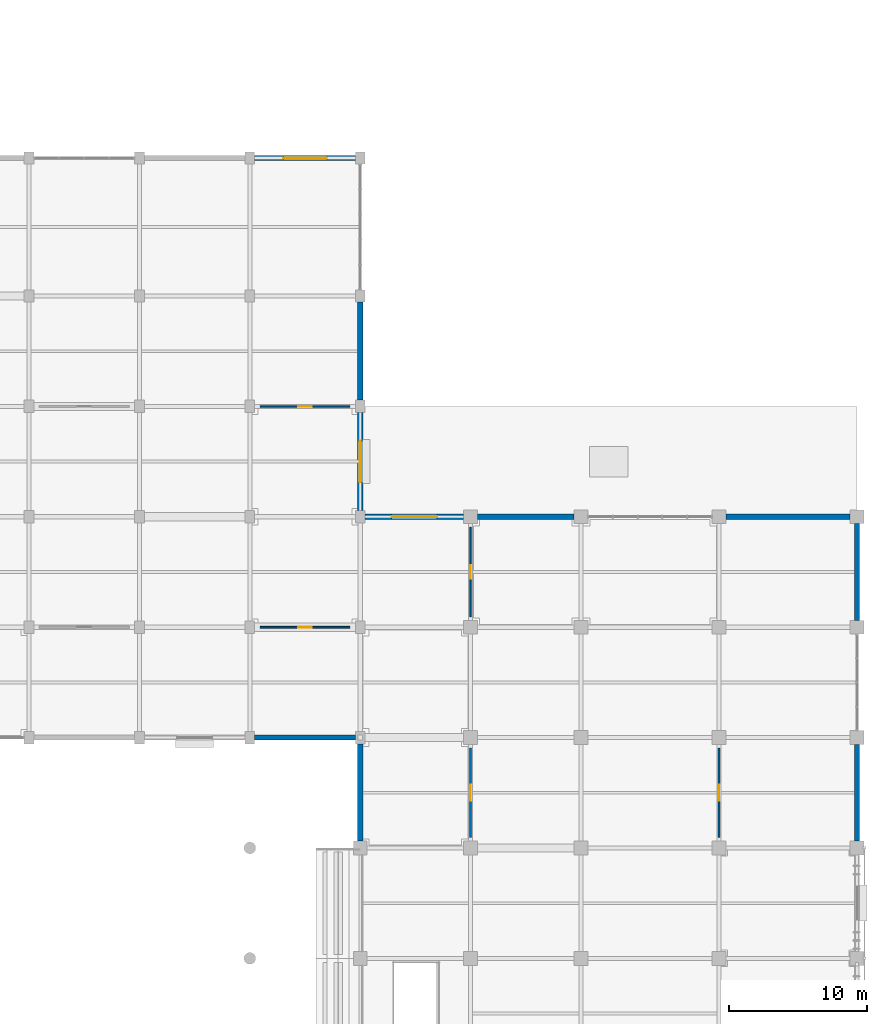
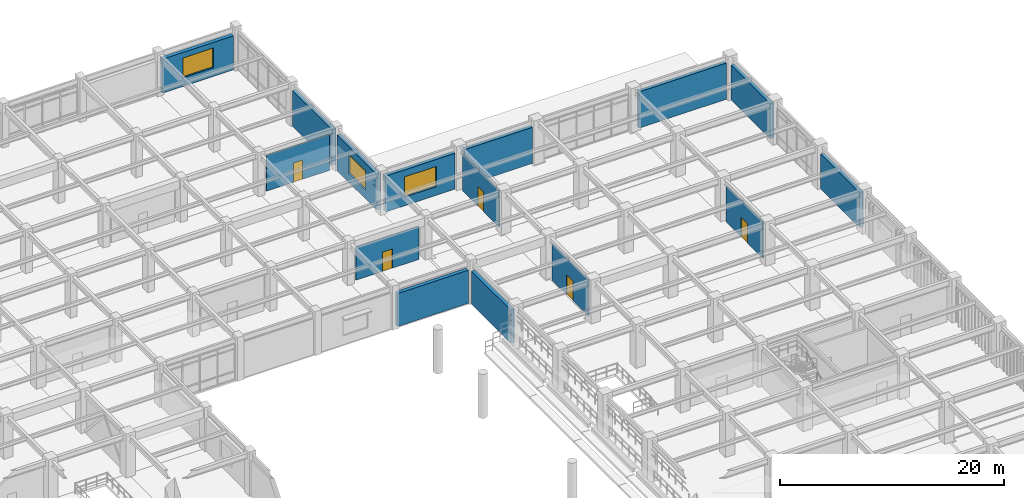
# One storey, part 85 of 117: 15 walls, 5 doors, 3 windows, 8 openings.
"""IFC4 building model written with IfcOpenShell, lengths in metres."""

from ifc_helpers import new_model, si_unit, direction, frame, frame_2d, origin, place, context, subcontext, project, spatial, rectangle, extrude, material, layer, layer_set, type_object, element, fill, save


model = new_model("IFC4")

# Units and contexts
model_context = context("Model", 3, precision=1e-05, world=origin(), true_north=direction((0.0, 1.0)))
body_context = subcontext(model_context, "Body", "Model", "MODEL_VIEW")
ifc_project = project(units=[si_unit("LENGTHUNIT", "METRE"), si_unit("AREAUNIT", "SQUARE_METRE"), si_unit("VOLUMEUNIT", "CUBIC_METRE"), si_unit("PLANEANGLEUNIT", "RADIAN"), si_unit("MASSUNIT", "GRAM", prefix="KILO")], contexts=[model_context])

# Site, building, storey
site_placement = place(None, origin())
site = spatial("IfcSite", under=ifc_project, at=site_placement, CompositionType="ELEMENT")
building_placement = place(site_placement, origin())
building = spatial("IfcBuilding", under=site, at=building_placement, Name="Haebicheon Civic Stadium", CompositionType="ELEMENT")
storey_placement = place(building_placement, frame((0.0, 0.0, 4.800048828125)))
storey = spatial("IfcBuildingStorey", under=building, at=storey_placement, Name="L02", CompositionType="ELEMENT", Elevation=4.800048828125)

# Wall
ifc_material_1 = material(Name="Concrete C40/50", Category="concrete")
ifc_layer_1 = layer(ifc_material_1, 0.3798828125, Name="Concrete C40/50")
ifc_layer_set_1 = layer_set([ifc_layer_1], Name="Concrete C40/50")
wall_type_1 = type_object("IfcWallType", Name="EW-BM-380", PredefinedType="SOLIDWALL", material=ifc_layer_set_1)
wall_1_placement = place(storey_placement, frame((192.35009765625, 136.0, 0.0), z_axis=(0.0, 0.0, 1.0), x_axis=(1.0, 0.0, 0.0)))
element("IfcWall", 1, at=wall_1_placement, inside=storey, type_object=wall_type_1, material=ifc_layer_set_1, Name="L02 board-marked concrete facade wall 24-17-S", PredefinedType="SOLIDWALL", context=body_context, shape_type="SweptSolid", body=[
    extrude(rectangle(XDim=7.2998046875, YDim=0.3798828125, at=frame_2d((3.64990234375, 0.0))), origin(), (0.0, 0.0, 1.0), 3.60986328125),
])

# Wall, opening, window
wall_2_placement = place(storey_placement, frame((200.0, 152.449951171875, 0.0), z_axis=(0.0, 0.0, 1.0), x_axis=(0.0, 1.0, 0.0)))
wall_2 = element("IfcWall", 2, at=wall_2_placement, inside=storey, type_object=wall_type_1, material=ifc_layer_set_1, Name="L02 board-marked concrete facade wall 25-19-E", PredefinedType="SOLIDWALL", context=body_context, shape_type="SweptSolid", body=[
    extrude(rectangle(XDim=7.10009765625, YDim=0.3798828125, at=frame_2d((3.550048828125, 0.0))), origin(), (0.0, 0.0, 1.0), 3.909912109375),
])
opening_1_placement = place(wall_2_placement, frame((2.050048828125, 0.0, 0.949951171875)))
opening_1 = element("IfcOpeningElement", 3, at=opening_1_placement, cuts=wall_2, Name="Opening WIN-300x210", PredefinedType="OPENING", context=body_context, shape_type="SweptSolid", body=[
    extrude(rectangle(XDim=3.0, YDim=2.10009765625, at=frame_2d((1.5, 1.050048828125))), frame((0.0, 0.199951171875, 0.0), z_axis=(0.0, -1.0, 0.0), x_axis=(1.0, 0.0, 0.0)), (0.0, 0.0, 1.0), 0.39990234375),
])
ifc_material_2 = material(Name="Anodised aluminium and laminated glass", Category="aluminium")
window_type_1 = type_object("IfcWindowType", Name="WIN-300x210", PartitioningType="SINGLE_PANEL", PredefinedType="WINDOW", material=ifc_material_2)
window_1_placement = place(opening_1_placement, origin())
window_1 = element("IfcWindow", 4, at=window_1_placement, inside=storey, type_object=window_type_1, material=ifc_material_2, Name="L02 facade window 059", OverallHeight=2.10009765625, OverallWidth=3.0, PartitioningType="SINGLE_PANEL", PredefinedType="WINDOW", context=body_context, shape_type="SweptSolid", body=[
    extrude(rectangle(XDim=3.0, YDim=2.10009765625, at=frame_2d((1.5, 1.050048828125))), frame((0.0, 0.030029296875, 0.0), z_axis=(0.0, -1.0, 0.0), x_axis=(1.0, 0.0, 0.0)), (0.0, 0.0, 1.0), 0.06005859375),
])
fill(opening_1, window_1)

# Wall
wall_3_placement = place(storey_placement, frame((200.0, 160.449951171875, 0.0), z_axis=(0.0, 0.0, 1.0), x_axis=(0.0, 1.0, 0.0)))
element("IfcWall", 5, at=wall_3_placement, inside=storey, type_object=wall_type_1, material=ifc_layer_set_1, Name="L02 board-marked concrete facade wall 25-20-E", PredefinedType="SOLIDWALL", context=body_context, shape_type="SweptSolid", body=[
    extrude(rectangle(XDim=7.10009765625, YDim=0.3798828125, at=frame_2d((3.550048828125, 0.0))), origin(), (0.0, 0.0, 1.0), 3.909912109375),
])

# Wall, opening, window
wall_4_placement = place(storey_placement, frame((192.35009765625, 178.0, 0.0), z_axis=(0.0, 0.0, 1.0), x_axis=(1.0, 0.0, 0.0)))
wall_4 = element("IfcWall", 6, at=wall_4_placement, inside=storey, type_object=wall_type_1, material=ifc_layer_set_1, Name="L02 board-marked concrete facade wall 24-22-N", PredefinedType="SOLIDWALL", context=body_context, shape_type="SweptSolid", body=[
    extrude(rectangle(XDim=7.2998046875, YDim=0.3798828125, at=frame_2d((3.64990234375, 0.0))), origin(), (0.0, 0.0, 1.0), 3.7099609375),
])
opening_2_placement = place(wall_4_placement, frame((2.074951171875, 0.0, 0.949951171875)))
opening_2 = element("IfcOpeningElement", 7, at=opening_2_placement, cuts=wall_4, Name="Opening WIN-315x215", PredefinedType="OPENING", context=body_context, shape_type="SweptSolid", body=[
    extrude(rectangle(XDim=3.14990234375, YDim=2.14990234375, at=frame_2d((1.574951171875, 1.074951171875))), frame((0.0, 0.199951171875, 0.0), z_axis=(0.0, -1.0, 0.0), x_axis=(1.0, 0.0, 0.0)), (0.0, 0.0, 1.0), 0.39990234375),
])
ifc_material_3 = material(Name="Anodised aluminium and laminated glass", Category="aluminium")
window_type_2 = type_object("IfcWindowType", Name="WIN-315x215", PartitioningType="SINGLE_PANEL", PredefinedType="WINDOW", material=ifc_material_3)
window_2_placement = place(opening_2_placement, origin())
window_2 = element("IfcWindow", 8, at=window_2_placement, inside=storey, type_object=window_type_2, material=ifc_material_3, Name="L02 facade window 060", OverallHeight=2.14990234375, OverallWidth=3.14990234375, PartitioningType="SINGLE_PANEL", PredefinedType="WINDOW", context=body_context, shape_type="SweptSolid", body=[
    extrude(rectangle(XDim=3.14990234375, YDim=2.14990234375, at=frame_2d((1.574951171875, 1.074951171875))), frame((0.0, 0.030029296875, 0.0), z_axis=(0.0, -1.0, 0.0), x_axis=(1.0, 0.0, 0.0)), (0.0, 0.0, 1.0), 0.06005859375),
])
fill(opening_2, window_2)

# Wall
wall_5_placement = place(storey_placement, frame((200.0, 128.5, 0.0), z_axis=(0.0, 0.0, 1.0), x_axis=(0.0, 1.0, 0.0)))
element("IfcWall", 9, at=wall_5_placement, inside=storey, type_object=wall_type_1, material=ifc_layer_set_1, Name="L02 board-marked concrete facade wall 25-16-W", PredefinedType="SOLIDWALL", context=body_context, shape_type="SweptSolid", body=[
    extrude(rectangle(XDim=7.050048828125, YDim=0.3798828125, at=frame_2d((3.52490234375, 0.0))), origin(), (0.0, 0.0, 1.0), 3.60986328125),
])

# Wall, opening, window
wall_6_placement = place(storey_placement, frame((200.35009765625, 152.0, 0.0), z_axis=(0.0, 0.0, 1.0), x_axis=(1.0, 0.0, 0.0)))
wall_6 = element("IfcWall", 10, at=wall_6_placement, inside=storey, type_object=wall_type_1, material=ifc_layer_set_1, Name="L02 board-marked concrete facade wall 25-19-N", PredefinedType="SOLIDWALL", context=body_context, shape_type="SweptSolid", body=[
    extrude(rectangle(XDim=7.14990234375, YDim=0.3798828125, at=frame_2d((3.574951171875, 0.0))), origin(), (0.0, 0.0, 1.0), 3.909912109375),
])
opening_3_placement = place(wall_6_placement, frame((1.925048828125, 0.0, 0.949951171875)))
opening_3 = element("IfcOpeningElement", 11, at=opening_3_placement, cuts=wall_6, Name="Opening WIN-330x220", PredefinedType="OPENING", context=body_context, shape_type="SweptSolid", body=[
    extrude(rectangle(XDim=3.300048828125, YDim=2.199951171875, at=frame_2d((1.64990234375, 1.10009765625))), frame((0.0, 0.199951171875, 0.0), z_axis=(0.0, -1.0, 0.0), x_axis=(1.0, 0.0, 0.0)), (0.0, 0.0, 1.0), 0.39990234375),
])
ifc_material_4 = material(Name="Anodised aluminium and laminated glass", Category="aluminium")
window_type_3 = type_object("IfcWindowType", Name="WIN-330x220", PartitioningType="SINGLE_PANEL", PredefinedType="WINDOW", material=ifc_material_4)
window_3_placement = place(opening_3_placement, origin())
window_3 = element("IfcWindow", 12, at=window_3_placement, inside=storey, type_object=window_type_3, material=ifc_material_4, Name="L02 facade window 061", OverallHeight=2.199951171875, OverallWidth=3.300048828125, PartitioningType="SINGLE_PANEL", PredefinedType="WINDOW", context=body_context, shape_type="SweptSolid", body=[
    extrude(rectangle(XDim=3.300048828125, YDim=2.199951171875, at=frame_2d((1.64990234375, 1.10009765625))), frame((0.0, 0.030029296875, 0.0), z_axis=(0.0, -1.0, 0.0), x_axis=(1.0, 0.0, 0.0)), (0.0, 0.0, 1.0), 0.06005859375),
])
fill(opening_3, window_3)

# Walls
wall_7_placement = place(storey_placement, frame((208.5, 152.0, 0.0), z_axis=(0.0, 0.0, 1.0), x_axis=(1.0, 0.0, 0.0)))
element("IfcWall", 13, at=wall_7_placement, inside=storey, type_object=wall_type_1, material=ifc_layer_set_1, Name="L02 board-marked concrete facade wall 26-19-N", PredefinedType="SOLIDWALL", context=body_context, shape_type="SweptSolid", body=[
    extrude(rectangle(XDim=7.0, YDim=0.3798828125, at=frame_2d((3.5, 0.0))), origin(), (0.0, 0.0, 1.0), 3.949951171875),
])
wall_8_placement = place(storey_placement, frame((236.0, 128.5, 0.0), z_axis=(0.0, 0.0, 1.0), x_axis=(0.0, 1.0, 0.0)))
element("IfcWall", 14, at=wall_8_placement, inside=storey, type_object=wall_type_1, material=ifc_layer_set_1, Name="L02 board-marked concrete facade wall 29-16-E", PredefinedType="SOLIDWALL", context=body_context, shape_type="SweptSolid", body=[
    extrude(rectangle(XDim=7.0, YDim=0.3798828125, at=frame_2d((3.5, 0.0))), origin(), (0.0, 0.0, 1.0), 3.81005859375),
])
wall_9_placement = place(storey_placement, frame((226.5, 152.0, 0.0), z_axis=(0.0, 0.0, 1.0), x_axis=(1.0, 0.0, 0.0)))
element("IfcWall", 15, at=wall_9_placement, inside=storey, type_object=wall_type_1, material=ifc_layer_set_1, Name="L02 board-marked concrete facade wall 28-19-N", PredefinedType="SOLIDWALL", context=body_context, shape_type="SweptSolid", body=[
    extrude(rectangle(XDim=9.0, YDim=0.3798828125, at=frame_2d((4.5, 0.0))), origin(), (0.0, 0.0, 1.0), 3.949951171875),
])
wall_10_placement = place(storey_placement, frame((236.0, 144.5, 0.0), z_axis=(0.0, 0.0, 1.0), x_axis=(0.0, 1.0, 0.0)))
element("IfcWall", 16, at=wall_10_placement, inside=storey, type_object=wall_type_1, material=ifc_layer_set_1, Name="L02 board-marked concrete facade wall 29-18-E", PredefinedType="SOLIDWALL", context=body_context, shape_type="SweptSolid", body=[
    extrude(rectangle(XDim=7.0, YDim=0.3798828125, at=frame_2d((3.5, 0.0))), origin(), (0.0, 0.0, 1.0), 3.81005859375),
])

# Wall, opening, door
ifc_material_5 = material(Name="Anodised aluminium and laminated glass", Category="aluminium")
ifc_layer_2 = layer(ifc_material_5, 0.10009765625, Name="Anodised aluminium and laminated glass")
ifc_layer_set_2 = layer_set([ifc_layer_2], Name="Anodised aluminium and laminated glass")
wall_type_2 = type_object("IfcWallType", Name="IW-PRT-100", PredefinedType="PARTITIONING", material=ifc_layer_set_2)
wall_11_placement = place(storey_placement, frame((208.0, 144.75, 0.0), z_axis=(0.0, 0.0, 1.0), x_axis=(0.0, 1.0, 0.0)))
wall_11 = element("IfcWall", 17, at=wall_11_placement, inside=storey, type_object=wall_type_2, material=ifc_layer_set_2, Name="L02 Sports Rehabilitation Gym partition wall", PredefinedType="PARTITIONING", context=body_context, shape_type="SweptSolid", body=[
    extrude(rectangle(XDim=6.5, YDim=0.10009765625, at=frame_2d((3.25, 0.0))), origin(), (0.0, 0.0, 1.0), 3.969970703125),
])
opening_4_placement = place(wall_11_placement, frame((2.77490234375, 0.0, 0.0)))
opening_4 = element("IfcOpeningElement", 18, at=opening_4_placement, cuts=wall_11, Name="Opening D-L02-227", PredefinedType="OPENING", context=body_context, shape_type="SweptSolid", body=[
    extrude(rectangle(XDim=0.949951171875, YDim=2.10009765625, at=frame_2d((0.47509765625, 1.050048828125))), frame((0.0, 0.06005859375, 0.0), z_axis=(0.0, -1.0, 0.0), x_axis=(1.0, 0.0, 0.0)), (0.0, 0.0, 1.0), 0.1201171875),
])
ifc_material_6 = material(Name="Engineered hardwood timber", Category="wood")
door_type_1 = type_object("IfcDoorType", Name="ID-RM-0950", OperationType="NOTDEFINED", PredefinedType="DOOR", material=ifc_material_6)
door_1_placement = place(opening_4_placement, origin())
door_1 = element("IfcDoor", 19, at=door_1_placement, inside=storey, type_object=door_type_1, material=ifc_material_6, Name="L02 Sports Rehabilitation Gym entrance door D-L02-227", OperationType="SINGLE_SWING_LEFT", OverallHeight=2.10009765625, OverallWidth=0.949951171875, PredefinedType="DOOR", context=body_context, shape_type="SweptSolid", body=[
    extrude(rectangle(XDim=0.949951171875, YDim=2.10009765625, at=frame_2d((0.47509765625, 1.050048828125))), frame((0.0, 0.02490234375, 0.0), z_axis=(0.0, -1.0, 0.0), x_axis=(1.0, 0.0, 0.0)), (0.0, 0.0, 1.0), 0.050048828125),
])
fill(opening_4, door_1)

wall_12_placement = place(storey_placement, frame((192.75, 160.0, 0.0), z_axis=(0.0, 0.0, 1.0), x_axis=(1.0, 0.0, 0.0)))
wall_12 = element("IfcWall", 20, at=wall_12_placement, inside=storey, type_object=wall_type_2, material=ifc_layer_set_2, Name="L02 Supporters' Club Lounge partition wall", PredefinedType="PARTITIONING", context=body_context, shape_type="SweptSolid", body=[
    extrude(rectangle(XDim=6.5, YDim=0.10009765625, at=frame_2d((3.25, 0.0))), origin(), (0.0, 0.0, 1.0), 3.909912109375),
])
opening_5_placement = place(wall_12_placement, frame((2.77490234375, 0.0, 0.0)))
opening_5 = element("IfcOpeningElement", 21, at=opening_5_placement, cuts=wall_12, Name="Opening D-L02-247", PredefinedType="OPENING", context=body_context, shape_type="SweptSolid", body=[
    extrude(rectangle(XDim=0.949951171875, YDim=2.10009765625, at=frame_2d((0.47509765625, 1.050048828125))), frame((0.0, 0.06005859375, 0.0), z_axis=(0.0, -1.0, 0.0), x_axis=(1.0, 0.0, 0.0)), (0.0, 0.0, 1.0), 0.1201171875),
])
door_2_placement = place(opening_5_placement, origin())
door_2 = element("IfcDoor", 22, at=door_2_placement, inside=storey, type_object=door_type_1, material=ifc_material_6, Name="L02 Supporters' Club Lounge entrance door D-L02-247", OperationType="SINGLE_SWING_RIGHT", OverallHeight=2.10009765625, OverallWidth=0.949951171875, PredefinedType="DOOR", context=body_context, shape_type="SweptSolid", body=[
    extrude(rectangle(XDim=0.949951171875, YDim=2.10009765625, at=frame_2d((0.47509765625, 1.050048828125))), frame((0.0, 0.02490234375, 0.0), z_axis=(0.0, -1.0, 0.0), x_axis=(1.0, 0.0, 0.0)), (0.0, 0.0, 1.0), 0.050048828125),
])
fill(opening_5, door_2)

ifc_material_7 = material(Name="Gypsum plasterboard on steel studs", Category="gypsum")
ifc_layer_3 = layer(ifc_material_7, 0.1201171875, Name="Gypsum plasterboard on steel studs")
ifc_layer_set_3 = layer_set([ifc_layer_3], Name="Gypsum plasterboard on steel studs")
wall_type_3 = type_object("IfcWallType", Name="IW-PRT-120", PredefinedType="PARTITIONING", material=ifc_layer_set_3)
wall_13_placement = place(storey_placement, frame((192.75, 144.0, 0.0), z_axis=(0.0, 0.0, 1.0), x_axis=(1.0, 0.0, 0.0)))
wall_13 = element("IfcWall", 23, at=wall_13_placement, inside=storey, type_object=wall_type_3, material=ifc_layer_set_3, Name="L02 Sports Heritage Reading Room partition wall", PredefinedType="PARTITIONING", context=body_context, shape_type="SweptSolid", body=[
    extrude(rectangle(XDim=6.5, YDim=0.1201171875, at=frame_2d((3.25, 0.0))), origin(), (0.0, 0.0, 1.0), 3.60986328125),
])
opening_6_placement = place(wall_13_placement, frame((2.75, 0.0, 0.0)))
opening_6 = element("IfcOpeningElement", 24, at=opening_6_placement, cuts=wall_13, Name="Opening D-L02-246", PredefinedType="OPENING", context=body_context, shape_type="SweptSolid", body=[
    extrude(rectangle(XDim=1.0, YDim=2.10009765625, at=frame_2d((0.5, 1.050048828125))), frame((0.0, 0.070068359375, 0.0), z_axis=(0.0, -1.0, 0.0), x_axis=(1.0, 0.0, 0.0)), (0.0, 0.0, 1.0), 0.14013671875),
])
ifc_material_8 = material(Name="Engineered hardwood timber", Category="wood")
door_type_2 = type_object("IfcDoorType", Name="ID-RM-1000", OperationType="NOTDEFINED", PredefinedType="DOOR", material=ifc_material_8)
door_3_placement = place(opening_6_placement, origin())
door_3 = element("IfcDoor", 25, at=door_3_placement, inside=storey, type_object=door_type_2, material=ifc_material_8, Name="L02 Sports Heritage Reading Room entrance door D-L02-246", OperationType="SINGLE_SWING_LEFT", OverallHeight=2.10009765625, OverallWidth=1.0, PredefinedType="DOOR", context=body_context, shape_type="SweptSolid", body=[
    extrude(rectangle(XDim=1.0, YDim=2.10009765625, at=frame_2d((0.5, 1.050048828125))), frame((0.0, 0.02490234375, 0.0), z_axis=(0.0, -1.0, 0.0), x_axis=(1.0, 0.0, 0.0)), (0.0, 0.0, 1.0), 0.050048828125),
])
fill(opening_6, door_3)

ifc_material_9 = material(Name="Gypsum plasterboard on steel studs", Category="gypsum")
ifc_layer_4 = layer(ifc_material_9, 0.14990234375, Name="Gypsum plasterboard on steel studs")
ifc_layer_set_4 = layer_set([ifc_layer_4], Name="Gypsum plasterboard on steel studs")
wall_type_4 = type_object("IfcWallType", Name="IW-PRT-150", PredefinedType="PARTITIONING", material=ifc_layer_set_4)
wall_14_placement = place(storey_placement, frame((208.0, 128.75, 0.0), z_axis=(0.0, 0.0, 1.0), x_axis=(0.0, 1.0, 0.0)))
wall_14 = element("IfcWall", 26, at=wall_14_placement, inside=storey, type_object=wall_type_4, material=ifc_layer_set_4, Name="L02 Aerobic Conditioning Studio partition wall", PredefinedType="PARTITIONING", context=body_context, shape_type="SweptSolid", body=[
    extrude(rectangle(XDim=6.5, YDim=0.14990234375, at=frame_2d((3.25, 0.0))), origin(), (0.0, 0.0, 1.0), 3.909912109375),
])
opening_7_placement = place(wall_14_placement, frame((2.675048828125, 0.0, 0.0)))
opening_7 = element("IfcOpeningElement", 27, at=opening_7_placement, cuts=wall_14, Name="Opening D-L02-222", PredefinedType="OPENING", context=body_context, shape_type="SweptSolid", body=[
    extrude(rectangle(XDim=1.14990234375, YDim=2.14990234375, at=frame_2d((0.574951171875, 1.074951171875))), frame((0.0, 0.0849609375, 0.0), z_axis=(0.0, -1.0, 0.0), x_axis=(1.0, 0.0, 0.0)), (0.0, 0.0, 1.0), 0.169921875),
])
ifc_material_10 = material(Name="Engineered hardwood timber", Category="wood")
door_type_3 = type_object("IfcDoorType", Name="ID-RM-1150", OperationType="NOTDEFINED", PredefinedType="DOOR", material=ifc_material_10)
door_4_placement = place(opening_7_placement, origin())
door_4 = element("IfcDoor", 28, at=door_4_placement, inside=storey, type_object=door_type_3, material=ifc_material_10, Name="L02 Aerobic Conditioning Studio entrance door D-L02-222", OperationType="SINGLE_SWING_RIGHT", OverallHeight=2.14990234375, OverallWidth=1.14990234375, PredefinedType="DOOR", context=body_context, shape_type="SweptSolid", body=[
    extrude(rectangle(XDim=1.14990234375, YDim=2.14990234375, at=frame_2d((0.574951171875, 1.074951171875))), frame((0.0, 0.02490234375, 0.0), z_axis=(0.0, -1.0, 0.0), x_axis=(1.0, 0.0, 0.0)), (0.0, 0.0, 1.0), 0.050048828125),
])
fill(opening_7, door_4)

wall_15_placement = place(storey_placement, frame((226.0, 128.75, 0.0), z_axis=(0.0, 0.0, 1.0), x_axis=(0.0, 1.0, 0.0)))
wall_15 = element("IfcWall", 29, at=wall_15_placement, inside=storey, type_object=wall_type_4, material=ifc_layer_set_4, Name="L02 Aerobic Conditioning Studio partition wall", PredefinedType="PARTITIONING", context=body_context, shape_type="SweptSolid", body=[
    extrude(rectangle(XDim=6.5, YDim=0.14990234375, at=frame_2d((3.25, 0.0))), origin(), (0.0, 0.0, 1.0), 3.909912109375),
])
opening_8_placement = place(wall_15_placement, frame((2.675048828125, 0.0, 0.0)))
opening_8 = element("IfcOpeningElement", 30, at=opening_8_placement, cuts=wall_15, Name="Opening D-L02-231", PredefinedType="OPENING", context=body_context, shape_type="SweptSolid", body=[
    extrude(rectangle(XDim=1.14990234375, YDim=2.14990234375, at=frame_2d((0.574951171875, 1.074951171875))), frame((0.0, 0.0849609375, 0.0), z_axis=(0.0, -1.0, 0.0), x_axis=(1.0, 0.0, 0.0)), (0.0, 0.0, 1.0), 0.169921875),
])
door_5_placement = place(opening_8_placement, origin())
door_5 = element("IfcDoor", 31, at=door_5_placement, inside=storey, type_object=door_type_3, material=ifc_material_10, Name="L02 Aerobic Conditioning Studio entrance door D-L02-231", OperationType="SINGLE_SWING_LEFT", OverallHeight=2.14990234375, OverallWidth=1.14990234375, PredefinedType="DOOR", context=body_context, shape_type="SweptSolid", body=[
    extrude(rectangle(XDim=1.14990234375, YDim=2.14990234375, at=frame_2d((0.574951171875, 1.074951171875))), frame((0.0, 0.02490234375, 0.0), z_axis=(0.0, -1.0, 0.0), x_axis=(1.0, 0.0, 0.0)), (0.0, 0.0, 1.0), 0.050048828125),
])
fill(opening_8, door_5)

save(model, "model.ifc")
